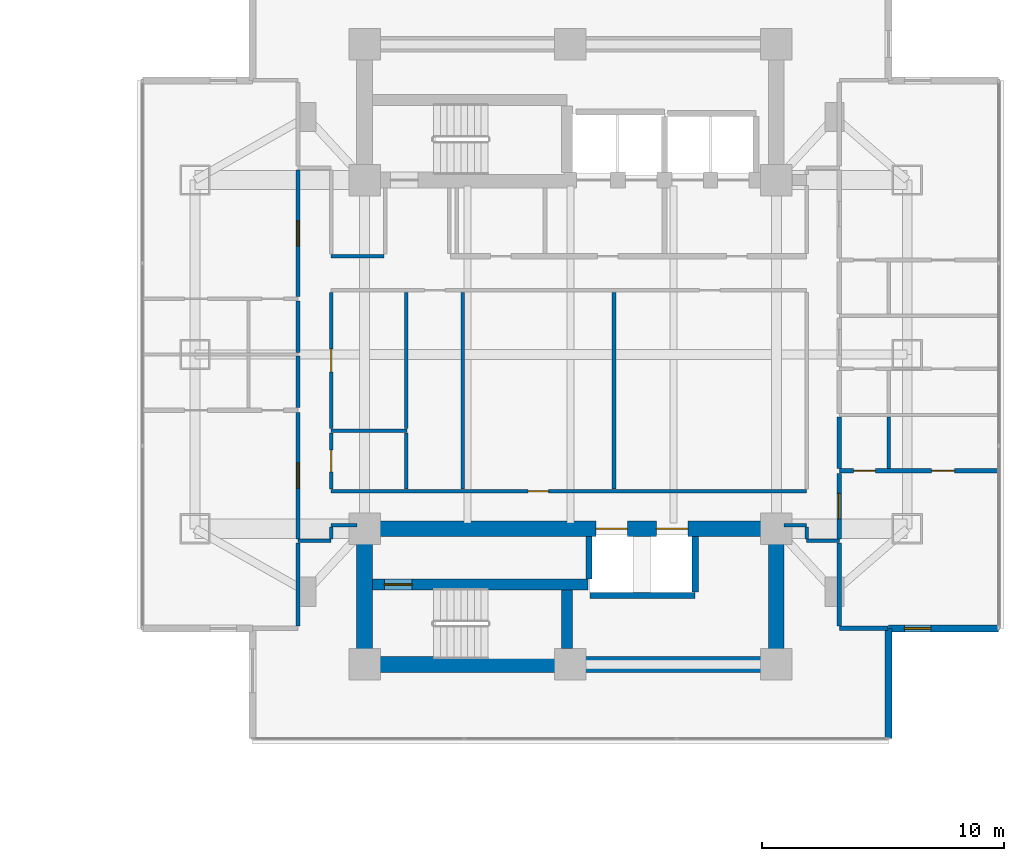
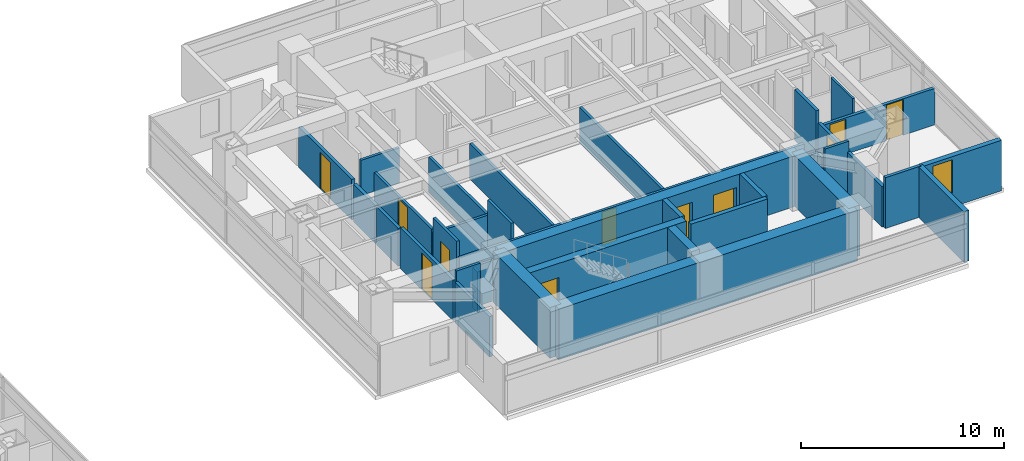
# One storey, part 17 of 27: 37 walls, 11 doors, 1 window, 12 openings.
"""IFC4 building model written with IfcOpenShell, lengths in metres."""

from ifc_helpers import new_model, si_unit, direction, frame, frame_2d, origin, place, context, subcontext, project, spatial, rectangle, extrude, material, layer, layer_set, type_object, element, fill, save


model = new_model("IFC4")

# Units and contexts
model_context = context("Model", 3, precision=1e-05, world=origin(), true_north=direction((0.0, 1.0)))
body_context = subcontext(model_context, "Body", "Model", "MODEL_VIEW")
ifc_project = project(units=[si_unit("LENGTHUNIT", "METRE"), si_unit("AREAUNIT", "SQUARE_METRE"), si_unit("VOLUMEUNIT", "CUBIC_METRE"), si_unit("PLANEANGLEUNIT", "RADIAN"), si_unit("MASSUNIT", "GRAM", prefix="KILO")], contexts=[model_context])

# Site, building, storey
site_placement = place(None, origin())
site = spatial("IfcSite", under=ifc_project, at=site_placement, CompositionType="ELEMENT")
building_placement = place(site_placement, origin())
building = spatial("IfcBuilding", under=site, at=building_placement, Name="Mirazonda Arch Towers", CompositionType="ELEMENT")
storey_placement = place(building_placement, frame((0.0, 0.0, 55.39990234375)))
storey = spatial("IfcBuildingStorey", under=building, at=storey_placement, Name="L15", CompositionType="ELEMENT", Elevation=55.39990234375)

# Wall, opening, door
ifc_material_1 = material(Name="Concrete C50/60", Category="concrete")
ifc_layer_1 = layer(ifc_material_1, 0.449951171875, Name="WALL-CORE-450")
ifc_layer_set_1 = layer_set([ifc_layer_1], Name="Concrete C50/60")
wall_type_1 = type_object("IfcWallType", Name="WALL-CORE-450", PredefinedType="SHEAR", material=ifc_layer_set_1)
wall_1_placement = place(storey_placement, frame((68.320068359375, 18.5, 0.0), z_axis=(0.0, 0.0, 1.0), x_axis=(1.0, 0.0, 0.0)))
wall_1 = element("IfcWall", 1, at=wall_1_placement, inside=storey, type_object=wall_type_1, Name="L15 Stair Core Shear Wall 014", PredefinedType="SHEAR", context=body_context, shape_type="SweptSolid", body=[
    extrude(rectangle(XDim=8.89990234375, YDim=0.449951171875, at=frame_2d((4.449951171875, 0.0))), origin(), (0.0, 0.0, 1.0), 3.06005859375),
])
opening_1_placement = place(wall_1_placement, frame((0.4951171875, 0.0, 0.0)))
opening_1 = element("IfcOpeningElement", 2, at=opening_1_placement, cuts=wall_1, Name="Opening DR-135", PredefinedType="OPENING", context=body_context, shape_type="SweptSolid", body=[
    extrude(rectangle(XDim=1.14990234375, YDim=2.199951171875, at=frame_2d((0.574951171875, 1.10009765625))), frame((0.0, 0.23486328125, 0.0), z_axis=(0.0, -1.0, 0.0), x_axis=(1.0, 0.0, 0.0)), (0.0, 0.0, 1.0), 0.469970703125),
])
ifc_material_2 = material(Name="Architectural Brushed Steel S355", Category="steel")
door_type_1 = type_object("IfcDoorType", Name="DOOR-STAIR-FD90-1150", OperationType="NOTDEFINED", PredefinedType="DOOR", material=ifc_material_2)
door_1_placement = place(opening_1_placement, origin())
door_1 = element("IfcDoor", 3, at=door_1_placement, inside=storey, type_object=door_type_1, Name="L15 East Protected Stair South Door", OperationType="SINGLE_SWING_LEFT", OverallHeight=2.199951171875, OverallWidth=1.14990234375, PredefinedType="DOOR", context=body_context, shape_type="SweptSolid", body=[
    extrude(rectangle(XDim=1.14990234375, YDim=2.199951171875, at=frame_2d((0.574951171875, 1.10009765625))), frame((0.0, 0.02490234375, 0.0), z_axis=(0.0, -1.0, 0.0), x_axis=(1.0, 0.0, 0.0)), (0.0, 0.0, 1.0), 0.050048828125),
])
fill(opening_1, door_1)

# Walls
wall_2_placement = place(storey_placement, frame((76.360107421875, 15.864990234375, 0.0), z_axis=(0.0, 0.0, 1.0), x_axis=(0.0, 1.0, 0.0)))
element("IfcWall", 4, at=wall_2_placement, inside=storey, type_object=wall_type_1, Name="L15 Stair Core Shear Wall 144", PredefinedType="SHEAR", context=body_context, shape_type="SweptSolid", body=[
    extrude(rectangle(XDim=2.39990234375, YDim=0.449951171875, at=frame_2d((1.199951171875, 0.0))), origin(), (0.0, 0.0, 1.0), 3.06005859375),
])
ifc_material_3 = material(Name="Concrete C60/75", Category="concrete")
ifc_layer_2 = layer(ifc_material_3, 0.64990234375, Name="WALL-CORE-650")
ifc_layer_set_2 = layer_set([ifc_layer_2], Name="Concrete C60/75")
wall_type_2 = type_object("IfcWallType", Name="WALL-CORE-650", PredefinedType="SHEAR", material=ifc_layer_set_2)
wall_3_placement = place(storey_placement, frame((68.0, 15.199951171875, 0.0), z_axis=(0.0, 0.0, 1.0), x_axis=(1.0, 0.0, 0.0)))
element("IfcWall", 5, at=wall_3_placement, inside=storey, type_object=wall_type_2, Name="L15 T2S-S Core Shear Wall", PredefinedType="SHEAR", context=body_context, shape_type="SweptSolid", body=[
    extrude(rectangle(XDim=17.0, YDim=0.64990234375, at=frame_2d((8.5, 0.0))), origin(), (0.0, 0.0, 1.0), 3.06005859375),
])
for number, where, z_axis, x_axis, name in (
    (6, (68.0, 15.199951171875, 0.0), (0.0, 0.0, 1.0), (0.0, 1.0, 0.0), "L15 T2S-W Core Shear Wall"),
    (7, (85.0, 15.199951171875, 0.0), (0.0, 0.0, 1.0), (0.0, 1.0, 0.0), "L15 T2S-E Core Shear Wall"),
):
    element("IfcWall", number, at=place(storey_placement, frame(where, z_axis=z_axis, x_axis=x_axis)), inside=storey, type_object=wall_type_2, Name=name, PredefinedType="SHEAR", context=body_context, shape_type="SweptSolid", body=[
        extrude(rectangle(XDim=5.60009765625, YDim=0.64990234375, at=frame_2d((2.800048828125, 0.0))), origin(), (0.0, 0.0, 1.0), 3.06005859375),
    ])

# Wall, openings, doors
wall_4_placement = place(storey_placement, frame((68.0, 20.800048828125, 0.0), z_axis=(0.0, 0.0, 1.0), x_axis=(1.0, 0.0, 0.0)))
wall_4 = element("IfcWall", 8, at=wall_4_placement, inside=storey, type_object=wall_type_2, Name="L15 T2S-N Core Shear Wall", PredefinedType="SHEAR", context=body_context, shape_type="SweptSolid", body=[
    extrude(rectangle(XDim=17.0, YDim=0.64990234375, at=frame_2d((8.5, 0.0))), origin(), (0.0, 0.0, 1.0), 3.06005859375),
])
opening_2_placement = place(wall_4_placement, frame((9.550048828125, 0.0, 0.0)))
opening_2 = element("IfcOpeningElement", 9, at=opening_2_placement, cuts=wall_4, Name="Opening LD-111", PredefinedType="OPENING", context=body_context, shape_type="SweptSolid", body=[
    extrude(rectangle(XDim=1.300048828125, YDim=2.300048828125, at=frame_2d((0.64990234375, 1.14990234375))), frame((0.0, 0.3349609375, 0.0), z_axis=(0.0, -1.0, 0.0), x_axis=(1.0, 0.0, 0.0)), (0.0, 0.0, 1.0), 0.669921875),
])
opening_3_placement = place(wall_4_placement, frame((12.050048828125, 0.0, 0.0)))
opening_3 = element("IfcOpeningElement", 10, at=opening_3_placement, cuts=wall_4, Name="Opening LD-111", PredefinedType="OPENING", context=body_context, shape_type="SweptSolid", body=[
    extrude(rectangle(XDim=1.300048828125, YDim=2.300048828125, at=frame_2d((0.64990234375, 1.14990234375))), frame((0.0, 0.3349609375, 0.0), z_axis=(0.0, -1.0, 0.0), x_axis=(1.0, 0.0, 0.0)), (0.0, 0.0, 1.0), 0.669921875),
])
door_type_2 = type_object("IfcDoorType", Name="DOOR-LIFT-LAND-1300", OperationType="NOTDEFINED", PredefinedType="DOOR", material=ifc_material_2)
door_2_placement = place(opening_2_placement, origin())
door_2 = element("IfcDoor", 11, at=door_2_placement, inside=storey, type_object=door_type_2, Name="L15 Lift Landing Sliding Door PL-T2H1", OperationType="DOUBLE_DOOR_SLIDING", OverallHeight=2.300048828125, OverallWidth=1.300048828125, PredefinedType="DOOR", context=body_context, shape_type="SweptSolid", body=[
    extrude(rectangle(XDim=1.300048828125, YDim=2.300048828125, at=frame_2d((0.64990234375, 1.14990234375))), frame((0.0, 0.02490234375, 0.0), z_axis=(0.0, -1.0, 0.0), x_axis=(1.0, 0.0, 0.0)), (0.0, 0.0, 1.0), 0.050048828125),
])
fill(opening_2, door_2)
door_3_placement = place(opening_3_placement, origin())
door_3 = element("IfcDoor", 12, at=door_3_placement, inside=storey, type_object=door_type_2, Name="L15 Lift Landing Sliding Door PL-T2H2", OperationType="DOUBLE_DOOR_SLIDING", OverallHeight=2.300048828125, OverallWidth=1.300048828125, PredefinedType="DOOR", context=body_context, shape_type="SweptSolid", body=[
    extrude(rectangle(XDim=1.300048828125, YDim=2.300048828125, at=frame_2d((0.64990234375, 1.14990234375))), frame((0.0, 0.02490234375, 0.0), z_axis=(0.0, -1.0, 0.0), x_axis=(1.0, 0.0, 0.0)), (0.0, 0.0, 1.0), 0.050048828125),
])
fill(opening_3, door_3)

# Wall, opening, window
ifc_material_4 = material(Name="Precast Concrete C40/50", Category="concrete")
ifc_layer_3 = layer(ifc_material_4, 0.280029296875, Name="WALL-EXT-WALL-280")
ifc_layer_set_3 = layer_set([ifc_layer_3], Name="Precast Concrete C40/50")
wall_type_3 = type_object("IfcWallType", Name="WALL-EXT-WALL-280", PredefinedType="SOLIDWALL", material=ifc_layer_set_3)
wall_5_placement = place(storey_placement, frame((89.632080078125, 16.686767578125, 0.0), z_axis=(0.0, 0.0, 1.0), x_axis=(1.0, 0.0, 0.0)))
wall_5 = element("IfcWall", 13, at=wall_5_placement, inside=storey, type_object=wall_type_3, Name="L15 T2 Corner Notch Return Wall WL-L15-T2-CSE1", PredefinedType="SOLIDWALL", context=body_context, shape_type="SweptSolid", body=[
    extrude(rectangle(XDim=4.5458984375, YDim=0.280029296875, at=frame_2d((2.27294921875, 0.0))), origin(), (0.0, 0.0, 1.0), 3.0400390625),
])
opening_4_placement = place(wall_5_placement, frame((0.64990234375, 0.0, 0.85009765625)))
opening_4 = element("IfcOpeningElement", 14, at=opening_4_placement, cuts=wall_5, Name="Opening WN-108", PredefinedType="OPENING", context=body_context, shape_type="SweptSolid", body=[
    extrude(rectangle(XDim=1.10009765625, YDim=2.0, at=frame_2d((0.550048828125, 1.0))), frame((0.0, 0.14990234375, 0.0), z_axis=(0.0, -1.0, 0.0), x_axis=(1.0, 0.0, 0.0)), (0.0, 0.0, 1.0), 0.300048828125),
])
ifc_material_5 = material(Name="Insulated Low-E Solar Glass", Category="glass")
window_type = type_object("IfcWindowType", Name="WIN-NOTCH-1100x2000", PartitioningType="SINGLE_PANEL", PredefinedType="WINDOW", material=ifc_material_5)
window_placement = place(opening_4_placement, origin())
window = element("IfcWindow", 15, at=window_placement, inside=storey, type_object=window_type, Name="L15 Punched Facade Window WN-L15-T2-CSE1", OverallHeight=2.0, OverallWidth=1.10009765625, PartitioningType="SINGLE_PANEL", PredefinedType="WINDOW", context=body_context, shape_type="SweptSolid", body=[
    extrude(rectangle(XDim=1.10009765625, YDim=2.0, at=frame_2d((0.550048828125, 1.0))), frame((0.0, 0.030029296875, 0.0), z_axis=(0.0, -1.0, 0.0), x_axis=(1.0, 0.0, 0.0)), (0.0, 0.0, 1.0), 0.06005859375),
])
fill(opening_4, window)

# Walls
wall_6_placement = place(storey_placement, frame((89.632080078125, 12.140625, 0.0), z_axis=(0.0, 0.0, 1.0), x_axis=(0.0, 1.0, 0.0)))
element("IfcWall", 16, at=wall_6_placement, inside=storey, type_object=wall_type_3, Name="L15 T2 Corner Notch Return Wall WL-L15-T2-CSE2", PredefinedType="SOLIDWALL", context=body_context, shape_type="SweptSolid", body=[
    extrude(rectangle(XDim=4.546142578125, YDim=0.280029296875, at=frame_2d((2.27294921875, 0.0))), origin(), (0.0, 0.0, 1.0), 3.0400390625),
])
ifc_material_6 = material(Name="Fire-Rated Gypsum Stud Partition")
ifc_layer_4 = layer(ifc_material_6, 0.14990234375, Name="WALL-PART-CORR-150")
ifc_layer_set_4 = layer_set([ifc_layer_4], Name="Fire-Rated Gypsum Stud Partition")
wall_type_4 = type_object("IfcWallType", Name="WALL-PART-CORR-150", PredefinedType="PARTITIONING", material=ifc_layer_set_4)
wall_7_placement = place(storey_placement, frame((65.25, 20.300048828125, 0.0), z_axis=(0.0, 0.0, 1.0), x_axis=(1.0, 0.0, 0.0)))
element("IfcWall", 17, at=wall_7_placement, inside=storey, type_object=wall_type_4, Name="L15 Interior Partition 018", PredefinedType="PARTITIONING", context=body_context, shape_type="SweptSolid", body=[
    extrude(rectangle(XDim=1.3701171875, YDim=0.14990234375, at=frame_2d((0.68505859375, 0.0))), origin(), (0.0, 0.0, 1.0), 3.06005859375),
])
wall_8_placement = place(storey_placement, frame((86.25, 20.300048828125, 0.0), z_axis=(0.0, 0.0, 1.0), x_axis=(1.0, 0.0, 0.0)))
element("IfcWall", 18, at=wall_8_placement, inside=storey, type_object=wall_type_4, Name="L15 Interior Partition 019", PredefinedType="PARTITIONING", context=body_context, shape_type="SweptSolid", body=[
    extrude(rectangle(XDim=1.35009765625, YDim=0.14990234375, at=frame_2d((0.675048828125, 0.0))), origin(), (0.0, 0.0, 1.0), 3.06005859375),
])
wall_9_placement = place(storey_placement, frame((66.6201171875, 20.949951171875, 0.0), z_axis=(0.0, 0.0, 1.0), x_axis=(1.0, 0.0, 0.0)))
element("IfcWall", 19, at=wall_9_placement, inside=storey, type_object=wall_type_4, Name="L15 Interior Partition 020", PredefinedType="PARTITIONING", context=body_context, shape_type="SweptSolid", body=[
    extrude(rectangle(XDim=1.059814453125, YDim=0.14990234375, at=frame_2d((0.52978515625, 0.0))), origin(), (0.0, 0.0, 1.0), 2.4521484375),
])
wall_10_placement = place(storey_placement, frame((85.320068359375, 20.949951171875, 0.0), z_axis=(0.0, 0.0, 1.0), x_axis=(1.0, 0.0, 0.0)))
element("IfcWall", 20, at=wall_10_placement, inside=storey, type_object=wall_type_4, Name="L15 Interior Partition 021", PredefinedType="PARTITIONING", context=body_context, shape_type="SweptSolid", body=[
    extrude(rectangle(XDim=0.929931640625, YDim=0.14990234375, at=frame_2d((0.46484375, 0.0))), origin(), (0.0, 0.0, 1.0), 2.4521484375),
])

# Wall, opening, door
wall_11_placement = place(storey_placement, frame((66.6201171875, 22.35009765625, 0.0), z_axis=(0.0, 0.0, 1.0), x_axis=(1.0, 0.0, 0.0)))
wall_11 = element("IfcWall", 21, at=wall_11_placement, inside=storey, type_object=wall_type_4, Name="L15 Interior Partition 024", PredefinedType="PARTITIONING", context=body_context, shape_type="SweptSolid", body=[
    extrude(rectangle(XDim=19.6298828125, YDim=0.14990234375, at=frame_2d((9.81494140625, 0.0))), origin(), (0.0, 0.0, 1.0), 2.125),
])
opening_5_placement = place(wall_11_placement, frame((8.12890625, 0.0, 0.0)))
opening_5 = element("IfcOpeningElement", 22, at=opening_5_placement, cuts=wall_11, Name="Opening DR-128", PredefinedType="OPENING", context=body_context, shape_type="SweptSolid", body=[
    extrude(rectangle(XDim=0.85009765625, YDim=2.010009765625, at=frame_2d((0.425048828125, 1.0048828125))), frame((0.0, 0.0849609375, 0.0), z_axis=(0.0, -1.0, 0.0), x_axis=(1.0, 0.0, 0.0)), (0.0, 0.0, 1.0), 0.169921875),
])
door_type_3 = type_object("IfcDoorType", Name="DOOR-RISER-FD60-850", OperationType="NOTDEFINED", PredefinedType="DOOR", material=ifc_material_2)
door_4_placement = place(opening_5_placement, origin())
door_4 = element("IfcDoor", 23, at=door_4_placement, inside=storey, type_object=door_type_3, Name="L15 Residents Private Library Door", OperationType="SINGLE_SWING_RIGHT", OverallHeight=2.010009765625, OverallWidth=0.85009765625, PredefinedType="DOOR", context=body_context, shape_type="SweptSolid", body=[
    extrude(rectangle(XDim=0.85009765625, YDim=2.010009765625, at=frame_2d((0.425048828125, 1.0048828125))), frame((0.0, 0.02490234375, 0.0), z_axis=(0.0, -1.0, 0.0), x_axis=(1.0, 0.0, 0.0)), (0.0, 0.0, 1.0), 0.050048828125),
])
fill(opening_5, door_4)

# Walls
wall_12_placement = place(storey_placement, frame((66.6201171875, 24.85009765625, 0.0), z_axis=(0.0, 0.0, 1.0), x_axis=(1.0, 0.0, 0.0)))
element("IfcWall", 24, at=wall_12_placement, inside=storey, type_object=wall_type_4, Name="L15 Interior Partition 027", PredefinedType="PARTITIONING", context=body_context, shape_type="SweptSolid", body=[
    extrude(rectangle(XDim=3.1298828125, YDim=0.14990234375, at=frame_2d((1.56494140625, 0.0))), origin(), (0.0, 0.0, 1.0), 2.125),
])
wall_13_placement = place(storey_placement, frame((66.6201171875, 32.050048828125, 0.0), z_axis=(0.0, 0.0, 1.0), x_axis=(1.0, 0.0, 0.0)))
element("IfcWall", 25, at=wall_13_placement, inside=storey, type_object=wall_type_4, Name="L15 Interior Partition 043", PredefinedType="PARTITIONING", context=body_context, shape_type="SweptSolid", body=[
    extrude(rectangle(XDim=2.179931640625, YDim=0.14990234375, at=frame_2d((1.08984375, 0.0))), origin(), (0.0, 0.0, 1.0), 2.125),
])
wall_14_placement = place(storey_placement, frame((66.6201171875, 20.385009765625, 0.0), z_axis=(0.0, 0.0, 1.0), x_axis=(0.0, 1.0, 0.0)))
element("IfcWall", 26, at=wall_14_placement, inside=storey, type_object=wall_type_4, Name="L15 Interior Partition 133", PredefinedType="PARTITIONING", context=body_context, shape_type="SweptSolid", body=[
    extrude(rectangle(XDim=0.47998046875, YDim=0.14990234375, at=frame_2d((0.239990234375, 0.0))), origin(), (0.0, 0.0, 1.0), 2.4521484375),
])

# Wall, opening, door
wall_15_placement = place(storey_placement, frame((66.6201171875, 22.43505859375, 0.0), z_axis=(0.0, 0.0, 1.0), x_axis=(0.0, 1.0, 0.0)))
wall_15 = element("IfcWall", 27, at=wall_15_placement, inside=storey, type_object=wall_type_4, Name="L15 Interior Partition 134", PredefinedType="PARTITIONING", context=body_context, shape_type="SweptSolid", body=[
    extrude(rectangle(XDim=2.329833984375, YDim=0.14990234375, at=frame_2d((1.1650390625, 0.0))), origin(), (0.0, 0.0, 1.0), 3.06005859375),
])
opening_6_placement = place(wall_15_placement, frame((0.715087890625, 0.0, 0.0)))
opening_6 = element("IfcOpeningElement", 28, at=opening_6_placement, cuts=wall_15, Name="Opening DR-120", PredefinedType="OPENING", context=body_context, shape_type="SweptSolid", body=[
    extrude(rectangle(XDim=0.89990234375, YDim=2.10009765625, at=frame_2d((0.449951171875, 1.050048828125))), frame((0.0, 0.0849609375, 0.0), z_axis=(0.0, -1.0, 0.0), x_axis=(1.0, 0.0, 0.0)), (0.0, 0.0, 1.0), 0.169921875),
])
door_type_4 = type_object("IfcDoorType", Name="DOOR-WC-900", OperationType="NOTDEFINED", PredefinedType="DOOR", material=ifc_material_2)
door_5_placement = place(opening_6_placement, origin())
door_5 = element("IfcDoor", 29, at=door_5_placement, inside=storey, type_object=door_type_4, Name="L15 Tower 2 Common Accessible WC Door", OperationType="SINGLE_SWING_RIGHT", OverallHeight=2.10009765625, OverallWidth=0.89990234375, PredefinedType="DOOR", context=body_context, shape_type="SweptSolid", body=[
    extrude(rectangle(XDim=0.89990234375, YDim=2.10009765625, at=frame_2d((0.449951171875, 1.050048828125))), frame((0.0, 0.02490234375, 0.0), z_axis=(0.0, -1.0, 0.0), x_axis=(1.0, 0.0, 0.0)), (0.0, 0.0, 1.0), 0.050048828125),
])
fill(opening_6, door_5)

wall_16_placement = place(storey_placement, frame((66.6201171875, 24.93505859375, 0.0), z_axis=(0.0, 0.0, 1.0), x_axis=(0.0, 1.0, 0.0)))
wall_16 = element("IfcWall", 30, at=wall_16_placement, inside=storey, type_object=wall_type_4, Name="L15 Interior Partition 135", PredefinedType="PARTITIONING", context=body_context, shape_type="SweptSolid", body=[
    extrude(rectangle(XDim=5.6298828125, YDim=0.14990234375, at=frame_2d((2.81494140625, 0.0))), origin(), (0.0, 0.0, 1.0), 2.279052734375),
])
opening_7_placement = place(wall_16_placement, frame((2.340087890625, 0.0, 0.0)))
opening_7 = element("IfcOpeningElement", 31, at=opening_7_placement, cuts=wall_16, Name="Opening DR-104", PredefinedType="OPENING", context=body_context, shape_type="SweptSolid", body=[
    extrude(rectangle(XDim=0.949951171875, YDim=2.14990234375, at=frame_2d((0.47509765625, 1.074951171875))), frame((0.0, 0.0849609375, 0.0), z_axis=(0.0, -1.0, 0.0), x_axis=(1.0, 0.0, 0.0)), (0.0, 0.0, 1.0), 0.169921875),
])
door_type_5 = type_object("IfcDoorType", Name="DOOR-ROOM-950", OperationType="NOTDEFINED", PredefinedType="DOOR", material=ifc_material_2)
door_6_placement = place(opening_7_placement, origin())
door_6 = element("IfcDoor", 32, at=door_6_placement, inside=storey, type_object=door_type_5, Name="L15 L15 East Courtyard Reading Study Door", OperationType="SINGLE_SWING_RIGHT", OverallHeight=2.14990234375, OverallWidth=0.949951171875, PredefinedType="DOOR", context=body_context, shape_type="SweptSolid", body=[
    extrude(rectangle(XDim=0.949951171875, YDim=2.14990234375, at=frame_2d((0.47509765625, 1.074951171875))), frame((0.0, 0.02490234375, 0.0), z_axis=(0.0, -1.0, 0.0), x_axis=(1.0, 0.0, 0.0)), (0.0, 0.0, 1.0), 0.050048828125),
])
fill(opening_7, door_6)

# Walls
wall_17_placement = place(storey_placement, frame((69.723388671875, 22.43505859375, 0.0), z_axis=(0.0, 0.0, 1.0), x_axis=(0.0, 1.0, 0.0)))
element("IfcWall", 33, at=wall_17_placement, inside=storey, type_object=wall_type_4, Name="L15 Interior Partition 138", PredefinedType="PARTITIONING", context=body_context, shape_type="SweptSolid", body=[
    extrude(rectangle(XDim=2.329833984375, YDim=0.14990234375, at=frame_2d((1.1650390625, 0.0))), origin(), (0.0, 0.0, 1.0), 3.06005859375),
])
wall_18_placement = place(storey_placement, frame((69.723388671875, 24.93505859375, 0.0), z_axis=(0.0, 0.0, 1.0), x_axis=(0.0, 1.0, 0.0)))
element("IfcWall", 34, at=wall_18_placement, inside=storey, type_object=wall_type_4, Name="L15 Interior Partition 139", PredefinedType="PARTITIONING", context=body_context, shape_type="SweptSolid", body=[
    extrude(rectangle(XDim=5.6298828125, YDim=0.14990234375, at=frame_2d((2.81494140625, 0.0))), origin(), (0.0, 0.0, 1.0), 2.125),
])
for number, where, z_axis, x_axis, name in (
    (35, (72.050048828125, 22.43505859375, 0.0), (0.0, 0.0, 1.0), (0.0, 1.0, 0.0), "L15 Interior Partition 142"),
    (36, (78.298095703125, 22.43505859375, 0.0), (0.0, 0.0, 1.0), (0.0, 1.0, 0.0), "L15 Interior Partition 147"),
):
    element("IfcWall", number, at=place(storey_placement, frame(where, z_axis=z_axis, x_axis=x_axis)), inside=storey, type_object=wall_type_4, Name=name, PredefinedType="PARTITIONING", context=body_context, shape_type="SweptSolid", body=[
        extrude(rectangle(XDim=8.1298828125, YDim=0.14990234375, at=frame_2d((4.06494140625, 0.0))), origin(), (0.0, 0.0, 1.0), 2.125),
    ])
wall_19_placement = place(storey_placement, frame((86.25, 20.385009765625, 0.0), z_axis=(0.0, 0.0, 1.0), x_axis=(0.0, 1.0, 0.0)))
element("IfcWall", 37, at=wall_19_placement, inside=storey, type_object=wall_type_4, Name="L15 Interior Partition 152", PredefinedType="PARTITIONING", context=body_context, shape_type="SweptSolid", body=[
    extrude(rectangle(XDim=0.47998046875, YDim=0.14990234375, at=frame_2d((0.239990234375, 0.0))), origin(), (0.0, 0.0, 1.0), 2.4521484375),
])
ifc_material_7 = material(Name="Fire-Rated Gypsum Twin-Stud Assembly")
ifc_layer_5 = layer(ifc_material_7, 0.179931640625, Name="WALL-PART-DEMISE-180")
ifc_layer_set_5 = layer_set([ifc_layer_5], Name="Fire-Rated Gypsum Twin-Stud Assembly")
wall_type_5 = type_object("IfcWallType", Name="WALL-PART-DEMISE-180", PredefinedType="PARTITIONING", material=ifc_layer_set_5)
wall_20_placement = place(storey_placement, frame((87.60009765625, 16.68701171875, 0.0), z_axis=(0.0, 0.0, 1.0), x_axis=(1.0, 0.0, 0.0)))
element("IfcWall", 38, at=wall_20_placement, inside=storey, type_object=wall_type_5, Name="L15 Interior Partition 010", PredefinedType="PARTITIONING", context=body_context, shape_type="SweptSolid", body=[
    extrude(rectangle(XDim=2.011962890625, YDim=0.179931640625, at=frame_2d((1.005859375, 0.0))), origin(), (0.0, 0.0, 1.0), 3.06005859375),
])

# Wall, openings, doors
wall_21_placement = place(storey_placement, frame((87.60009765625, 23.19189453125, 0.0), z_axis=(0.0, 0.0, 1.0), x_axis=(1.0, 0.0, 0.0)))
wall_21 = element("IfcWall", 39, at=wall_21_placement, inside=storey, type_object=wall_type_5, Name="L15 Interior Partition 026", PredefinedType="PARTITIONING", context=body_context, shape_type="SweptSolid", body=[
    extrude(rectangle(XDim=6.577880859375, YDim=0.179931640625, at=frame_2d((3.2890625, 0.0))), origin(), (0.0, 0.0, 1.0), 2.196044921875),
])
opening_8_placement = place(wall_21_placement, frame((3.81396484375, 0.0, 0.0)))
opening_8 = element("IfcOpeningElement", 40, at=opening_8_placement, cuts=wall_21, Name="Opening DR-104", PredefinedType="OPENING", context=body_context, shape_type="SweptSolid", body=[
    extrude(rectangle(XDim=0.949951171875, YDim=2.14990234375, at=frame_2d((0.47509765625, 1.074951171875))), frame((0.0, 0.099853515625, 0.0), z_axis=(0.0, -1.0, 0.0), x_axis=(1.0, 0.0, 0.0)), (0.0, 0.0, 1.0), 0.199951171875),
])
opening_9_placement = place(wall_21_placement, frame((0.590087890625, 0.0, 0.0)))
opening_9 = element("IfcOpeningElement", 41, at=opening_9_placement, cuts=wall_21, Name="Opening DR-120", PredefinedType="OPENING", context=body_context, shape_type="SweptSolid", body=[
    extrude(rectangle(XDim=0.89990234375, YDim=2.10009765625, at=frame_2d((0.449951171875, 1.050048828125))), frame((0.0, 0.099853515625, 0.0), z_axis=(0.0, -1.0, 0.0), x_axis=(1.0, 0.0, 0.0)), (0.0, 0.0, 1.0), 0.199951171875),
])
door_7_placement = place(opening_8_placement, origin())
door_7 = element("IfcDoor", 42, at=door_7_placement, inside=storey, type_object=door_type_5, Name="L15 Studio 1 Galley Kitchen Door", OperationType="SINGLE_SWING_RIGHT", OverallHeight=2.14990234375, OverallWidth=0.949951171875, PredefinedType="DOOR", context=body_context, shape_type="SweptSolid", body=[
    extrude(rectangle(XDim=0.949951171875, YDim=2.14990234375, at=frame_2d((0.47509765625, 1.074951171875))), frame((0.0, 0.02490234375, 0.0), z_axis=(0.0, -1.0, 0.0), x_axis=(1.0, 0.0, 0.0)), (0.0, 0.0, 1.0), 0.050048828125),
])
fill(opening_8, door_7)
door_8_placement = place(opening_9_placement, origin())
door_8 = element("IfcDoor", 43, at=door_8_placement, inside=storey, type_object=door_type_4, Name="L15 Studio 1 Bathroom Door", OperationType="SINGLE_SWING_LEFT", OverallHeight=2.10009765625, OverallWidth=0.89990234375, PredefinedType="DOOR", context=body_context, shape_type="SweptSolid", body=[
    extrude(rectangle(XDim=0.89990234375, YDim=2.10009765625, at=frame_2d((0.449951171875, 1.050048828125))), frame((0.0, 0.02490234375, 0.0), z_axis=(0.0, -1.0, 0.0), x_axis=(1.0, 0.0, 0.0)), (0.0, 0.0, 1.0), 0.050048828125),
])
fill(opening_9, door_8)

# Wall
wall_22_placement = place(storey_placement, frame((65.25, 16.787109375, 0.0), z_axis=(0.0, 0.0, 1.0), x_axis=(0.0, 1.0, 0.0)))
element("IfcWall", 44, at=wall_22_placement, inside=storey, type_object=wall_type_5, Name="L15 Interior Partition 127", PredefinedType="PARTITIONING", context=body_context, shape_type="SweptSolid", body=[
    extrude(rectangle(XDim=3.427978515625, YDim=0.179931640625, at=frame_2d((1.7138671875, 0.0))), origin(), (0.0, 0.0, 1.0), 2.43603515625),
])

# Wall, opening, door
wall_23_placement = place(storey_placement, frame((65.25, 20.385009765625, 0.0), z_axis=(0.0, 0.0, 1.0), x_axis=(0.0, 1.0, 0.0)))
wall_23 = element("IfcWall", 45, at=wall_23_placement, inside=storey, type_object=wall_type_5, Name="L15 Interior Partition 128", PredefinedType="PARTITIONING", context=body_context, shape_type="SweptSolid", body=[
    extrude(rectangle(XDim=5.215087890625, YDim=0.179931640625, at=frame_2d((2.607421875, 0.0))), origin(), (0.0, 0.0, 1.0), 2.4521484375),
])
opening_10_placement = place(wall_23_placement, frame((2.08251953125, 0.0, 0.0)))
opening_10 = element("IfcOpeningElement", 46, at=opening_10_placement, cuts=wall_23, Name="Opening DR-121", PredefinedType="OPENING", context=body_context, shape_type="SweptSolid", body=[
    extrude(rectangle(XDim=1.050048828125, YDim=2.199951171875, at=frame_2d((0.52490234375, 1.10009765625))), frame((0.0, 0.099853515625, 0.0), z_axis=(0.0, -1.0, 0.0), x_axis=(1.0, 0.0, 0.0)), (0.0, 0.0, 1.0), 0.199951171875),
])
door_type_6 = type_object("IfcDoorType", Name="DOOR-SUITE-FD60-1050", OperationType="NOTDEFINED", PredefinedType="DOOR", material=ifc_material_2)
door_9_placement = place(opening_10_placement, origin())
door_9 = element("IfcDoor", 47, at=door_9_placement, inside=storey, type_object=door_type_6, Name="L15 Studio Apartment 1 Living Salon Door", OperationType="SINGLE_SWING_LEFT", OverallHeight=2.199951171875, OverallWidth=1.050048828125, PredefinedType="DOOR", context=body_context, shape_type="SweptSolid", body=[
    extrude(rectangle(XDim=1.050048828125, YDim=2.199951171875, at=frame_2d((0.52490234375, 1.10009765625))), frame((0.0, 0.02490234375, 0.0), z_axis=(0.0, -1.0, 0.0), x_axis=(1.0, 0.0, 0.0)), (0.0, 0.0, 1.0), 0.050048828125),
])
fill(opening_10, door_9)

# Walls
wall_24_placement = place(storey_placement, frame((65.25, 25.800048828125, 0.0), z_axis=(0.0, 0.0, 1.0), x_axis=(0.0, 1.0, 0.0)))
element("IfcWall", 48, at=wall_24_placement, inside=storey, type_object=wall_type_5, Name="L15 Interior Partition 129", PredefinedType="PARTITIONING", context=body_context, shape_type="SweptSolid", body=[
    extrude(rectangle(XDim=2.12744140625, YDim=0.179931640625, at=frame_2d((1.063720703125, 0.0))), origin(), (0.0, 0.0, 1.0), 2.279052734375),
])
wall_25_placement = place(storey_placement, frame((65.25, 28.072509765625, 0.0), z_axis=(0.0, 0.0, 1.0), x_axis=(0.0, 1.0, 0.0)))
element("IfcWall", 49, at=wall_25_placement, inside=storey, type_object=wall_type_5, Name="L15 Interior Partition 130", PredefinedType="PARTITIONING", context=body_context, shape_type="SweptSolid", body=[
    extrude(rectangle(XDim=2.142578125, YDim=0.179931640625, at=frame_2d((1.0712890625, 0.0))), origin(), (0.0, 0.0, 1.0), 2.279052734375),
])

# Wall, opening, door
wall_26_placement = place(storey_placement, frame((65.25, 30.385009765625, 0.0), z_axis=(0.0, 0.0, 1.0), x_axis=(0.0, 1.0, 0.0)))
wall_26 = element("IfcWall", 50, at=wall_26_placement, inside=storey, type_object=wall_type_5, Name="L15 Interior Partition 131", PredefinedType="PARTITIONING", context=body_context, shape_type="SweptSolid", body=[
    extrude(rectangle(XDim=5.22998046875, YDim=0.179931640625, at=frame_2d((2.614990234375, 0.0))), origin(), (0.0, 0.0, 1.0), 2.4521484375),
])
opening_11_placement = place(wall_26_placement, frame((2.090087890625, 0.0, 0.0)))
opening_11 = element("IfcOpeningElement", 51, at=opening_11_placement, cuts=wall_26, Name="Opening DR-121", PredefinedType="OPENING", context=body_context, shape_type="SweptSolid", body=[
    extrude(rectangle(XDim=1.050048828125, YDim=2.199951171875, at=frame_2d((0.52490234375, 1.10009765625))), frame((0.0, 0.099853515625, 0.0), z_axis=(0.0, -1.0, 0.0), x_axis=(1.0, 0.0, 0.0)), (0.0, 0.0, 1.0), 0.199951171875),
])
door_10_placement = place(opening_11_placement, origin())
door_10 = element("IfcDoor", 52, at=door_10_placement, inside=storey, type_object=door_type_6, Name="L15 Studio Apartment 2 Living Salon Door", OperationType="SINGLE_SWING_RIGHT", OverallHeight=2.199951171875, OverallWidth=1.050048828125, PredefinedType="DOOR", context=body_context, shape_type="SweptSolid", body=[
    extrude(rectangle(XDim=1.050048828125, YDim=2.199951171875, at=frame_2d((0.52490234375, 1.10009765625))), frame((0.0, 0.02490234375, 0.0), z_axis=(0.0, -1.0, 0.0), x_axis=(1.0, 0.0, 0.0)), (0.0, 0.0, 1.0), 0.050048828125),
])
fill(opening_11, door_10)

# Wall
wall_27_placement = place(storey_placement, frame((87.60009765625, 16.787109375, 0.0), z_axis=(0.0, 0.0, 1.0), x_axis=(0.0, 1.0, 0.0)))
element("IfcWall", 53, at=wall_27_placement, inside=storey, type_object=wall_type_5, Name="L15 Interior Partition 156", PredefinedType="PARTITIONING", context=body_context, shape_type="SweptSolid", body=[
    extrude(rectangle(XDim=3.427978515625, YDim=0.179931640625, at=frame_2d((1.7138671875, 0.0))), origin(), (0.0, 0.0, 1.0), 2.43603515625),
])

# Wall, opening, door
wall_28_placement = place(storey_placement, frame((87.60009765625, 20.385009765625, 0.0), z_axis=(0.0, 0.0, 1.0), x_axis=(0.0, 1.0, 0.0)))
wall_28 = element("IfcWall", 54, at=wall_28_placement, inside=storey, type_object=wall_type_5, Name="L15 Interior Partition 157", PredefinedType="PARTITIONING", context=body_context, shape_type="SweptSolid", body=[
    extrude(rectangle(XDim=2.70703125, YDim=0.179931640625, at=frame_2d((1.353515625, 0.0))), origin(), (0.0, 0.0, 1.0), 2.4521484375),
])
opening_12_placement = place(wall_28_placement, frame((0.82861328125, 0.0, 0.0)))
opening_12 = element("IfcOpeningElement", 55, at=opening_12_placement, cuts=wall_28, Name="Opening DR-121", PredefinedType="OPENING", context=body_context, shape_type="SweptSolid", body=[
    extrude(rectangle(XDim=1.050048828125, YDim=2.199951171875, at=frame_2d((0.52490234375, 1.10009765625))), frame((0.0, 0.099853515625, 0.0), z_axis=(0.0, -1.0, 0.0), x_axis=(1.0, 0.0, 0.0)), (0.0, 0.0, 1.0), 0.199951171875),
])
door_11_placement = place(opening_12_placement, origin())
door_11 = element("IfcDoor", 56, at=door_11_placement, inside=storey, type_object=door_type_6, Name="L15 Studio Apartment 1 Living Salon Door", OperationType="SINGLE_SWING_LEFT", OverallHeight=2.199951171875, OverallWidth=1.050048828125, PredefinedType="DOOR", context=body_context, shape_type="SweptSolid", body=[
    extrude(rectangle(XDim=1.050048828125, YDim=2.199951171875, at=frame_2d((0.52490234375, 1.10009765625))), frame((0.0, 0.02490234375, 0.0), z_axis=(0.0, -1.0, 0.0), x_axis=(1.0, 0.0, 0.0)), (0.0, 0.0, 1.0), 0.050048828125),
])
fill(opening_12, door_11)

# Walls
wall_29_placement = place(storey_placement, frame((87.60009765625, 23.2919921875, 0.0), z_axis=(0.0, 0.0, 1.0), x_axis=(0.0, 1.0, 0.0)))
element("IfcWall", 57, at=wall_29_placement, inside=storey, type_object=wall_type_5, Name="L15 Interior Partition 158", PredefinedType="PARTITIONING", context=body_context, shape_type="SweptSolid", body=[
    extrude(rectangle(XDim=2.12744140625, YDim=0.179931640625, at=frame_2d((1.063720703125, 0.0))), origin(), (0.0, 0.0, 1.0), 3.06005859375),
])
ifc_material_8 = material(Name="Acoustic Fire-Rated Gypsum Partition")
ifc_layer_6 = layer(ifc_material_8, 0.125, Name="WALL-PART-UNIT-125")
ifc_layer_set_6 = layer_set([ifc_layer_6], Name="Acoustic Fire-Rated Gypsum Partition")
wall_type_6 = type_object("IfcWallType", Name="WALL-PART-UNIT-125", PredefinedType="PARTITIONING", material=ifc_layer_set_6)
wall_30_placement = place(storey_placement, frame((89.639892578125, 23.2919921875, 0.0), z_axis=(0.0, 0.0, 1.0), x_axis=(0.0, 1.0, 0.0)))
element("IfcWall", 58, at=wall_30_placement, inside=storey, type_object=wall_type_6, Name="L15 Interior Partition 164", PredefinedType="PARTITIONING", context=body_context, shape_type="SweptSolid", body=[
    extrude(rectangle(XDim=2.12744140625, YDim=0.125, at=frame_2d((1.063720703125, 0.0))), origin(), (0.0, 0.0, 1.0), 3.06005859375),
])
ifc_material_9 = material(Name="Concrete C40/50", Category="concrete")
ifc_layer_7 = layer(ifc_material_9, 0.25, Name="WALL-SHAFT-250")
ifc_layer_set_7 = layer_set([ifc_layer_7], Name="Concrete C40/50")
wall_type_7 = type_object("IfcWallType", Name="WALL-SHAFT-250", PredefinedType="SOLIDWALL", material=ifc_layer_set_7)
wall_31_placement = place(storey_placement, frame((77.300048828125, 18.050048828125, 0.0), z_axis=(0.0, 0.0, 1.0), x_axis=(1.0, 0.0, 0.0)))
element("IfcWall", 59, at=wall_31_placement, inside=storey, type_object=wall_type_7, Name="L15 Interior Partition 011", PredefinedType="SOLIDWALL", context=body_context, shape_type="SweptSolid", body=[
    extrude(rectangle(XDim=4.349853515625, YDim=0.25, at=frame_2d((2.1748046875, 0.0))), origin(), (0.0, 0.0, 1.0), 3.06005859375),
])
wall_32_placement = place(storey_placement, frame((77.260009765625, 18.735107421875, 0.0), z_axis=(0.0, 0.0, 1.0), x_axis=(0.0, 1.0, 0.0)))
element("IfcWall", 60, at=wall_32_placement, inside=storey, type_object=wall_type_7, Name="L15 Interior Partition 146", PredefinedType="SOLIDWALL", context=body_context, shape_type="SweptSolid", body=[
    extrude(rectangle(XDim=1.744873046875, YDim=0.25, at=frame_2d((0.87255859375, 0.0))), origin(), (0.0, 0.0, 1.0), 3.06005859375),
])
wall_33_placement = place(storey_placement, frame((81.64990234375, 18.18505859375, 0.0), z_axis=(0.0, 0.0, 1.0), x_axis=(0.0, 1.0, 0.0)))
element("IfcWall", 61, at=wall_33_placement, inside=storey, type_object=wall_type_7, Name="L15 Interior Partition 150", PredefinedType="SOLIDWALL", context=body_context, shape_type="SweptSolid", body=[
    extrude(rectangle(XDim=2.294921875, YDim=0.25, at=frame_2d((1.1474609375, 0.0))), origin(), (0.0, 0.0, 1.0), 3.06005859375),
])

save(model, "model.ifc")
